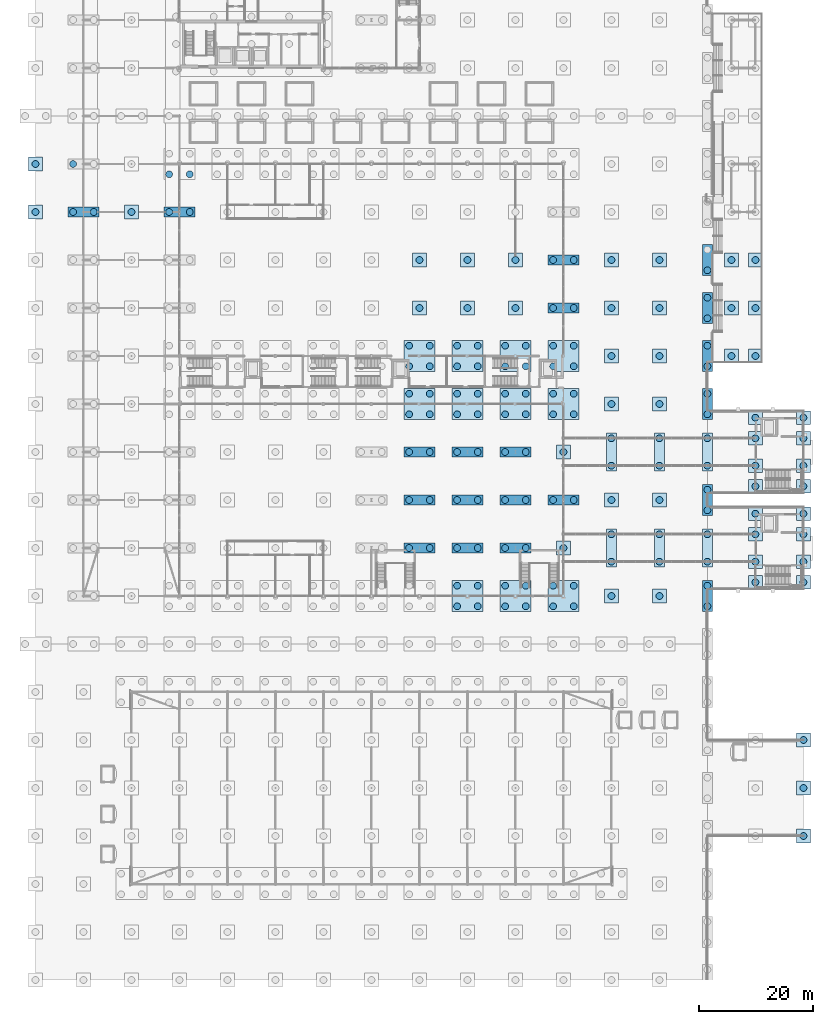
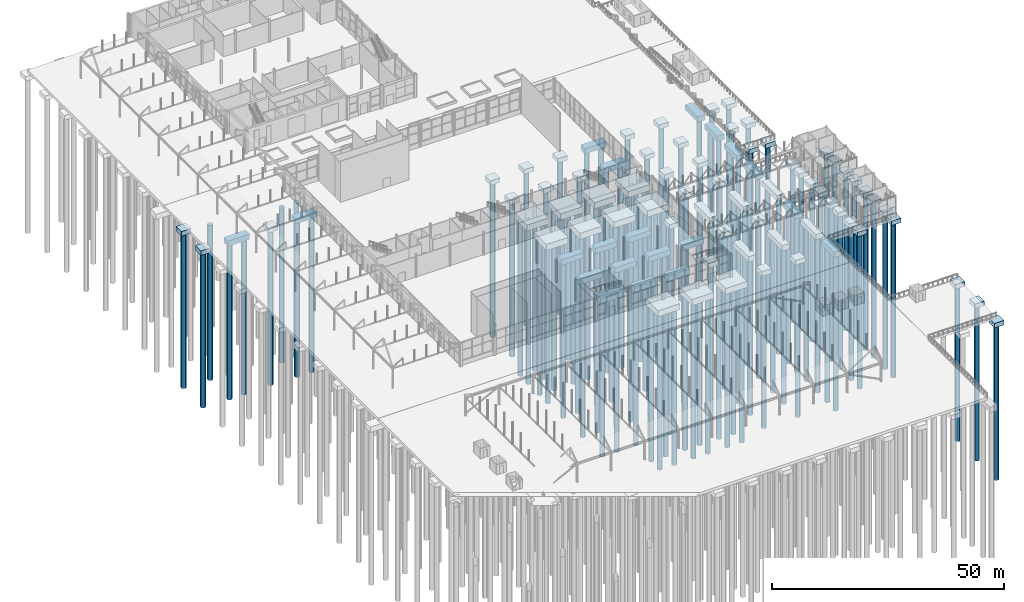
# One storey, part 3 of 212: 146 piles, 85 footings.
"""IFC4 building model written with IfcOpenShell, lengths in metres."""

from ifc_helpers import new_model, si_unit, direction, frame, origin, origin_2d, place, context, subcontext, project, spatial, rectangle, circle, extrude, material, material_profile, profile_set, type_object, element, save


model = new_model("IFC4")

# Units and contexts
model_context = context("Model", 3, precision=1e-05, world=origin(), true_north=direction((0.0, 1.0)))
body_context = subcontext(model_context, "Body", "Model", "MODEL_VIEW")
ifc_project = project(units=[si_unit("LENGTHUNIT", "METRE"), si_unit("AREAUNIT", "SQUARE_METRE"), si_unit("VOLUMEUNIT", "CUBIC_METRE"), si_unit("PLANEANGLEUNIT", "RADIAN"), si_unit("MASSUNIT", "GRAM", prefix="KILO")], contexts=[model_context])

# Site, building, storey
site_placement = place(None, origin())
site = spatial("IfcSite", under=ifc_project, at=site_placement, CompositionType="ELEMENT")
building_placement = place(site_placement, origin())
building = spatial("IfcBuilding", under=site, at=building_placement, Name="Catenary Quay Ferry Terminal", CompositionType="ELEMENT")
storey_placement = place(building_placement, origin())
storey = spatial("IfcBuildingStorey", under=building, at=storey_placement, Name="L00", CompositionType="ELEMENT", Elevation=0.0)

# Piles
ifc_material_1 = material(Name="Concrete C35/45", Category="concrete")
ifc_material_profile = material_profile(ifc_material_1, circle(Radius=0.60009765625, at=origin_2d()), Name="D1200")
ifc_profile_set = profile_set([ifc_material_profile], Name="Concrete C35/45")
pile_type = type_object("IfcPileType", Name="Bored pile D1200", PredefinedType="BORED", material=ifc_profile_set)
for number, where, z_axis, x_axis, name in (
    (1, (73.800048828125, 65.39990234375, -2.300048828125), (0.0, 0.0, -1.0), (1.0, 0.0, 0.0), "Pile PC4-J9/1"),
    (2, (77.39990234375, 65.39990234375, -2.300048828125), (0.0, 0.0, -1.0), (1.0, 0.0, 0.0), "Pile PC4-J9/2"),
    (3, (73.800048828125, 69.0, -2.300048828125), (0.0, 0.0, -1.0), (1.0, 0.0, 0.0), "Pile PC4-J9/3"),
    (4, (77.39990234375, 69.0, -2.300048828125), (0.0, 0.0, -1.0), (1.0, 0.0, 0.0), "Pile PC4-J9/4"),
    (5, (82.199951171875, 65.39990234375, -2.300048828125), (0.0, 0.0, -1.0), (1.0, 0.0, 0.0), "Pile PC4-K9/1"),
    (6, (85.800048828125, 65.39990234375, -2.300048828125), (0.0, 0.0, -1.0), (1.0, 0.0, 0.0), "Pile PC4-K9/2"),
    (7, (82.199951171875, 69.0, -2.300048828125), (0.0, 0.0, -1.0), (1.0, 0.0, 0.0), "Pile PC4-K9/3"),
    (8, (85.800048828125, 69.0, -2.300048828125), (0.0, 0.0, -1.0), (1.0, 0.0, 0.0), "Pile PC4-K9/4"),
    (9, (90.60009765625, 65.39990234375, -2.300048828125), (0.0, 0.0, -1.0), (1.0, 0.0, 0.0), "Pile PC4-L9/1"),
    (10, (94.199951171875, 65.39990234375, -2.300048828125), (0.0, 0.0, -1.0), (1.0, 0.0, 0.0), "Pile PC4-L9/2"),
    (11, (90.60009765625, 69.0, -2.300048828125), (0.0, 0.0, -1.0), (1.0, 0.0, 0.0), "Pile PC4-L9/3"),
    (12, (94.199951171875, 69.0, -2.300048828125), (0.0, 0.0, -1.0), (1.0, 0.0, 0.0), "Pile PC4-L9/4"),
    (13, (100.800048828125, 67.199951171875, -1.89990234375), (0.0, 0.0, -1.0), (1.0, 0.0, 0.0), "Pile PC1-M9/1"),
    (14, (109.199951171875, 67.199951171875, -1.89990234375), (0.0, 0.0, -1.0), (1.0, 0.0, 0.0), "Pile PC1-N9/1"),
    (15, (117.60009765625, 65.39990234375, -2.10009765625), (0.0, 0.0, -1.0), (1.0, 0.0, 0.0), "Pile PC2-O9/1"),
    (16, (117.60009765625, 69.0, -2.10009765625), (0.0, 0.0, -1.0), (1.0, 0.0, 0.0), "Pile PC2-O9/2"),
    (17, (65.39990234375, 75.60009765625, -2.10009765625), (0.0, 0.0, -1.0), (1.0, 0.0, 0.0), "Pile PC2-I10/1"),
    (18, (69.0, 75.60009765625, -2.10009765625), (0.0, 0.0, -1.0), (1.0, 0.0, 0.0), "Pile PC2-I10/2"),
    (19, (73.800048828125, 75.60009765625, -2.10009765625), (0.0, 0.0, -1.0), (1.0, 0.0, 0.0), "Pile PC2-J10/1"),
    (20, (77.39990234375, 75.60009765625, -2.10009765625), (0.0, 0.0, -1.0), (1.0, 0.0, 0.0), "Pile PC2-J10/2"),
    (21, (82.199951171875, 75.60009765625, -2.10009765625), (0.0, 0.0, -1.0), (1.0, 0.0, 0.0), "Pile PC2-K10/1"),
    (22, (85.800048828125, 75.60009765625, -2.10009765625), (0.0, 0.0, -1.0), (1.0, 0.0, 0.0), "Pile PC2-K10/2"),
    (23, (92.39990234375, 75.60009765625, -1.89990234375), (0.0, 0.0, -1.0), (1.0, 0.0, 0.0), "Pile PC1-L10/1"),
    (24, (100.800048828125, 73.199951171875, -2.10009765625), (0.0, 0.0, -1.0), (1.0, 0.0, 0.0), "Pile PC2B-M10/1"),
    (25, (100.800048828125, 78.0, -2.10009765625), (0.0, 0.0, -1.0), (1.0, 0.0, 0.0), "Pile PC2B-M10/2"),
    (26, (109.199951171875, 73.199951171875, -2.10009765625), (0.0, 0.0, -1.0), (1.0, 0.0, 0.0), "Pile PC2B-N10/1"),
    (27, (109.199951171875, 78.0, -2.10009765625), (0.0, 0.0, -1.0), (1.0, 0.0, 0.0), "Pile PC2B-N10/2"),
    (28, (117.60009765625, 73.199951171875, -2.10009765625), (0.0, 0.0, -1.0), (1.0, 0.0, 0.0), "Pile PC2B-O10/1"),
    (29, (117.60009765625, 78.0, -2.10009765625), (0.0, 0.0, -1.0), (1.0, 0.0, 0.0), "Pile PC2B-O10/2"),
    (30, (65.39990234375, 84.0, -2.10009765625), (0.0, 0.0, -1.0), (1.0, 0.0, 0.0), "Pile PC2-I11/1"),
    (31, (69.0, 84.0, -2.10009765625), (0.0, 0.0, -1.0), (1.0, 0.0, 0.0), "Pile PC2-I11/2"),
    (32, (73.800048828125, 84.0, -2.10009765625), (0.0, 0.0, -1.0), (1.0, 0.0, 0.0), "Pile PC2-J11/1"),
    (33, (77.39990234375, 84.0, -2.10009765625), (0.0, 0.0, -1.0), (1.0, 0.0, 0.0), "Pile PC2-J11/2"),
    (34, (82.199951171875, 84.0, -2.10009765625), (0.0, 0.0, -1.0), (1.0, 0.0, 0.0), "Pile PC2-K11/1"),
    (35, (85.800048828125, 84.0, -2.10009765625), (0.0, 0.0, -1.0), (1.0, 0.0, 0.0), "Pile PC2-K11/2"),
    (36, (90.60009765625, 84.0, -2.10009765625), (0.0, 0.0, -1.0), (1.0, 0.0, 0.0), "Pile PC2-L11/1"),
    (37, (94.199951171875, 84.0, -2.10009765625), (0.0, 0.0, -1.0), (1.0, 0.0, 0.0), "Pile PC2-L11/2"),
    (38, (100.800048828125, 84.0, -1.89990234375), (0.0, 0.0, -1.0), (1.0, 0.0, 0.0), "Pile PC1-M11/1"),
    (39, (109.199951171875, 84.0, -1.89990234375), (0.0, 0.0, -1.0), (1.0, 0.0, 0.0), "Pile PC1-N11/1"),
    (40, (117.60009765625, 82.199951171875, -2.10009765625), (0.0, 0.0, -1.0), (1.0, 0.0, 0.0), "Pile PC2-O11/1"),
    (41, (117.60009765625, 85.800048828125, -2.10009765625), (0.0, 0.0, -1.0), (1.0, 0.0, 0.0), "Pile PC2-O11/2"),
    (42, (65.39990234375, 92.39990234375, -2.10009765625), (0.0, 0.0, -1.0), (1.0, 0.0, 0.0), "Pile PC2-I12/1"),
    (43, (69.0, 92.39990234375, -2.10009765625), (0.0, 0.0, -1.0), (1.0, 0.0, 0.0), "Pile PC2-I12/2"),
    (44, (73.800048828125, 92.39990234375, -2.10009765625), (0.0, 0.0, -1.0), (1.0, 0.0, 0.0), "Pile PC2-J12/1"),
    (45, (77.39990234375, 92.39990234375, -2.10009765625), (0.0, 0.0, -1.0), (1.0, 0.0, 0.0), "Pile PC2-J12/2"),
    (46, (82.199951171875, 92.39990234375, -2.10009765625), (0.0, 0.0, -1.0), (1.0, 0.0, 0.0), "Pile PC2-K12/1"),
    (47, (85.800048828125, 92.39990234375, -2.10009765625), (0.0, 0.0, -1.0), (1.0, 0.0, 0.0), "Pile PC2-K12/2"),
    (48, (92.39990234375, 92.39990234375, -1.89990234375), (0.0, 0.0, -1.0), (1.0, 0.0, 0.0), "Pile PC1-L12/1"),
    (49, (100.800048828125, 90.0, -2.10009765625), (0.0, 0.0, -1.0), (1.0, 0.0, 0.0), "Pile PC2B-M12/1"),
    (50, (100.800048828125, 94.800048828125, -2.10009765625), (0.0, 0.0, -1.0), (1.0, 0.0, 0.0), "Pile PC2B-M12/2"),
    (51, (109.199951171875, 90.0, -2.10009765625), (0.0, 0.0, -1.0), (1.0, 0.0, 0.0), "Pile PC2B-N12/1"),
    (52, (109.199951171875, 94.800048828125, -2.10009765625), (0.0, 0.0, -1.0), (1.0, 0.0, 0.0), "Pile PC2B-N12/2"),
    (53, (117.60009765625, 90.0, -2.10009765625), (0.0, 0.0, -1.0), (1.0, 0.0, 0.0), "Pile PC2B-O12/1"),
    (54, (117.60009765625, 94.800048828125, -2.10009765625), (0.0, 0.0, -1.0), (1.0, 0.0, 0.0), "Pile PC2B-O12/2"),
    (55, (65.39990234375, 99.0, -2.300048828125), (0.0, 0.0, -1.0), (1.0, 0.0, 0.0), "Pile PC4-I13/1"),
    (56, (69.0, 99.0, -2.300048828125), (0.0, 0.0, -1.0), (1.0, 0.0, 0.0), "Pile PC4-I13/2"),
    (57, (65.39990234375, 102.60009765625, -2.300048828125), (0.0, 0.0, -1.0), (1.0, 0.0, 0.0), "Pile PC4-I13/3"),
    (58, (69.0, 102.60009765625, -2.300048828125), (0.0, 0.0, -1.0), (1.0, 0.0, 0.0), "Pile PC4-I13/4"),
    (59, (73.800048828125, 99.0, -2.300048828125), (0.0, 0.0, -1.0), (1.0, 0.0, 0.0), "Pile PC4-J13/1"),
    (60, (77.39990234375, 99.0, -2.300048828125), (0.0, 0.0, -1.0), (1.0, 0.0, 0.0), "Pile PC4-J13/2"),
    (61, (73.800048828125, 102.60009765625, -2.300048828125), (0.0, 0.0, -1.0), (1.0, 0.0, 0.0), "Pile PC4-J13/3"),
    (62, (77.39990234375, 102.60009765625, -2.300048828125), (0.0, 0.0, -1.0), (1.0, 0.0, 0.0), "Pile PC4-J13/4"),
    (63, (82.199951171875, 99.0, -2.300048828125), (0.0, 0.0, -1.0), (1.0, 0.0, 0.0), "Pile PC4-K13/1"),
    (64, (85.800048828125, 99.0, -2.300048828125), (0.0, 0.0, -1.0), (1.0, 0.0, 0.0), "Pile PC4-K13/2"),
    (65, (82.199951171875, 102.60009765625, -2.300048828125), (0.0, 0.0, -1.0), (1.0, 0.0, 0.0), "Pile PC4-K13/3"),
    (66, (85.800048828125, 102.60009765625, -2.300048828125), (0.0, 0.0, -1.0), (1.0, 0.0, 0.0), "Pile PC4-K13/4"),
    (67, (90.60009765625, 99.0, -2.300048828125), (0.0, 0.0, -1.0), (1.0, 0.0, 0.0), "Pile PC4-L13/1"),
    (68, (94.199951171875, 99.0, -2.300048828125), (0.0, 0.0, -1.0), (1.0, 0.0, 0.0), "Pile PC4-L13/2"),
    (69, (90.60009765625, 102.60009765625, -2.300048828125), (0.0, 0.0, -1.0), (1.0, 0.0, 0.0), "Pile PC4-L13/3"),
    (70, (94.199951171875, 102.60009765625, -2.300048828125), (0.0, 0.0, -1.0), (1.0, 0.0, 0.0), "Pile PC4-L13/4"),
    (71, (100.800048828125, 100.800048828125, -1.89990234375), (0.0, 0.0, -1.0), (1.0, 0.0, 0.0), "Pile PC1-M13/1"),
    (72, (109.199951171875, 100.800048828125, -1.89990234375), (0.0, 0.0, -1.0), (1.0, 0.0, 0.0), "Pile PC1-N13/1"),
    (73, (117.60009765625, 99.0, -2.10009765625), (0.0, 0.0, -1.0), (1.0, 0.0, 0.0), "Pile PC2-O13/1"),
    (74, (117.60009765625, 102.60009765625, -2.10009765625), (0.0, 0.0, -1.0), (1.0, 0.0, 0.0), "Pile PC2-O13/2"),
    (75, (65.39990234375, 107.39990234375, -2.300048828125), (0.0, 0.0, -1.0), (1.0, 0.0, 0.0), "Pile PC4-I14/1"),
    (76, (69.0, 107.39990234375, -2.300048828125), (0.0, 0.0, -1.0), (1.0, 0.0, 0.0), "Pile PC4-I14/2"),
    (77, (65.39990234375, 111.0, -2.300048828125), (0.0, 0.0, -1.0), (1.0, 0.0, 0.0), "Pile PC4-I14/3"),
    (78, (69.0, 111.0, -2.300048828125), (0.0, 0.0, -1.0), (1.0, 0.0, 0.0), "Pile PC4-I14/4"),
    (79, (73.800048828125, 107.39990234375, -2.300048828125), (0.0, 0.0, -1.0), (1.0, 0.0, 0.0), "Pile PC4-J14/1"),
    (80, (77.39990234375, 107.39990234375, -2.300048828125), (0.0, 0.0, -1.0), (1.0, 0.0, 0.0), "Pile PC4-J14/2"),
    (81, (73.800048828125, 111.0, -2.300048828125), (0.0, 0.0, -1.0), (1.0, 0.0, 0.0), "Pile PC4-J14/3"),
    (82, (77.39990234375, 111.0, -2.300048828125), (0.0, 0.0, -1.0), (1.0, 0.0, 0.0), "Pile PC4-J14/4"),
    (83, (82.199951171875, 107.39990234375, -2.300048828125), (0.0, 0.0, -1.0), (1.0, 0.0, 0.0), "Pile PC4-K14/1"),
    (84, (85.800048828125, 107.39990234375, -2.300048828125), (0.0, 0.0, -1.0), (1.0, 0.0, 0.0), "Pile PC4-K14/2"),
    (85, (82.199951171875, 111.0, -2.300048828125), (0.0, 0.0, -1.0), (1.0, 0.0, 0.0), "Pile PC4-K14/3"),
    (86, (85.800048828125, 111.0, -2.300048828125), (0.0, 0.0, -1.0), (1.0, 0.0, 0.0), "Pile PC4-K14/4"),
    (87, (90.60009765625, 107.39990234375, -2.300048828125), (0.0, 0.0, -1.0), (1.0, 0.0, 0.0), "Pile PC4-L14/1"),
    (88, (94.199951171875, 107.39990234375, -2.300048828125), (0.0, 0.0, -1.0), (1.0, 0.0, 0.0), "Pile PC4-L14/2"),
    (89, (90.60009765625, 111.0, -2.300048828125), (0.0, 0.0, -1.0), (1.0, 0.0, 0.0), "Pile PC4-L14/3"),
    (90, (94.199951171875, 111.0, -2.300048828125), (0.0, 0.0, -1.0), (1.0, 0.0, 0.0), "Pile PC4-L14/4"),
    (91, (100.800048828125, 109.199951171875, -1.89990234375), (0.0, 0.0, -1.0), (1.0, 0.0, 0.0), "Pile PC1-M14/1"),
    (92, (109.199951171875, 109.199951171875, -1.89990234375), (0.0, 0.0, -1.0), (1.0, 0.0, 0.0), "Pile PC1-N14/1"),
    (93, (117.60009765625, 107.39990234375, -2.10009765625), (0.0, 0.0, -1.0), (1.0, 0.0, 0.0), "Pile PC2-O14/1"),
    (94, (117.60009765625, 111.0, -2.10009765625), (0.0, 0.0, -1.0), (1.0, 0.0, 0.0), "Pile PC2-O14/2"),
    (95, (67.199951171875, 117.60009765625, -1.89990234375), (0.0, 0.0, -1.0), (1.0, 0.0, 0.0), "Pile PC1-I15/1"),
    (96, (75.60009765625, 117.60009765625, -1.89990234375), (0.0, 0.0, -1.0), (1.0, 0.0, 0.0), "Pile PC1-J15/1"),
    (97, (84.0, 117.60009765625, -1.89990234375), (0.0, 0.0, -1.0), (1.0, 0.0, 0.0), "Pile PC1-K15/1"),
    (98, (90.60009765625, 117.60009765625, -2.10009765625), (0.0, 0.0, -1.0), (1.0, 0.0, 0.0), "Pile PC2-L15/1"),
    (99, (94.199951171875, 117.60009765625, -2.10009765625), (0.0, 0.0, -1.0), (1.0, 0.0, 0.0), "Pile PC2-L15/2"),
    (100, (100.800048828125, 117.60009765625, -1.89990234375), (0.0, 0.0, -1.0), (1.0, 0.0, 0.0), "Pile PC1-M15/1"),
    (101, (109.199951171875, 117.60009765625, -1.89990234375), (0.0, 0.0, -1.0), (1.0, 0.0, 0.0), "Pile PC1-N15/1"),
    (102, (117.60009765625, 115.800048828125, -2.10009765625), (0.0, 0.0, -1.0), (1.0, 0.0, 0.0), "Pile PC2-O15/1"),
    (103, (117.60009765625, 119.39990234375, -2.10009765625), (0.0, 0.0, -1.0), (1.0, 0.0, 0.0), "Pile PC2-O15/2"),
    (104, (67.199951171875, 126.0, -1.89990234375), (0.0, 0.0, -1.0), (1.0, 0.0, 0.0), "Pile PC1-I16/1"),
    (105, (75.60009765625, 126.0, -1.89990234375), (0.0, 0.0, -1.0), (1.0, 0.0, 0.0), "Pile PC1-J16/1"),
    (106, (84.0, 126.0, -1.89990234375), (0.0, 0.0, -1.0), (1.0, 0.0, 0.0), "Pile PC1-K16/1"),
    (107, (90.60009765625, 126.0, -2.10009765625), (0.0, 0.0, -1.0), (1.0, 0.0, 0.0), "Pile PC2-L16/1"),
    (108, (94.199951171875, 126.0, -2.10009765625), (0.0, 0.0, -1.0), (1.0, 0.0, 0.0), "Pile PC2-L16/2"),
    (109, (100.800048828125, 126.0, -1.89990234375), (0.0, 0.0, -1.0), (1.0, 0.0, 0.0), "Pile PC1-M16/1"),
    (110, (109.199951171875, 126.0, -1.89990234375), (0.0, 0.0, -1.0), (1.0, 0.0, 0.0), "Pile PC1-N16/1"),
    (111, (117.60009765625, 124.199951171875, -2.10009765625), (0.0, 0.0, -1.0), (1.0, 0.0, 0.0), "Pile PC2-O16/1"),
    (112, (0.0, 134.39990234375, -1.89990234375), (0.0, 0.0, -1.0), (1.0, 0.0, 0.0), "Pile PC1-A17/1"),
    (113, (6.60009765625, 134.39990234375, -2.10009765625), (0.0, 0.0, -1.0), (1.0, 0.0, 0.0), "Pile PC2-B17/1"),
    (114, (10.199951171875, 134.39990234375, -2.10009765625), (0.0, 0.0, -1.0), (1.0, 0.0, 0.0), "Pile PC2-B17/2"),
    (115, (16.800048828125, 134.39990234375, -1.89990234375), (0.0, 0.0, -1.0), (1.0, 0.0, 0.0), "Pile PC1-C17/1"),
    (116, (23.39990234375, 134.39990234375, -2.10009765625), (0.0, 0.0, -1.0), (1.0, 0.0, 0.0), "Pile PC2-D17/1"),
    (117, (27.0, 134.39990234375, -2.10009765625), (0.0, 0.0, -1.0), (1.0, 0.0, 0.0), "Pile PC2-D17/2"),
    (118, (0.0, 142.800048828125, -1.89990234375), (0.0, 0.0, -1.0), (1.0, 0.0, 0.0), "Pile PC1-A18/1"),
    (119, (6.60009765625, 142.800048828125, -2.10009765625), (0.0, 0.0, -1.0), (1.0, 0.0, 0.0), "Pile PC2-B18/1"),
    (120, (23.39990234375, 141.0, -2.300048828125), (0.0, 0.0, -1.0), (1.0, 0.0, 0.0), "Pile PC4-D18/1"),
    (121, (27.0, 141.0, -2.300048828125), (0.0, 0.0, -1.0), (1.0, 0.0, 0.0), "Pile PC4-D18/2"),
    (122, (126.0, 69.60009765625, -1.800048828125), (0.0, 0.0, -1.0), (1.0, 0.0, 0.0), "Pile PC1-BH1P1/1"),
    (123, (126.0, 73.199951171875, -1.800048828125), (0.0, 0.0, -1.0), (1.0, 0.0, 0.0), "Pile PC1-BH1P2/1"),
    (124, (126.0, 78.0, -1.800048828125), (0.0, 0.0, -1.0), (1.0, 0.0, 0.0), "Pile PC1-BH1P3/1"),
    (125, (126.0, 81.60009765625, -1.800048828125), (0.0, 0.0, -1.0), (1.0, 0.0, 0.0), "Pile PC1-BH1P4/1"),
    (126, (134.39990234375, 69.60009765625, -1.800048828125), (0.0, 0.0, -1.0), (1.0, 0.0, 0.0), "Pile PC1-BH1Q1/1"),
    (127, (134.39990234375, 73.199951171875, -1.800048828125), (0.0, 0.0, -1.0), (1.0, 0.0, 0.0), "Pile PC1-BH1Q2/1"),
    (128, (134.39990234375, 78.0, -1.800048828125), (0.0, 0.0, -1.0), (1.0, 0.0, 0.0), "Pile PC1-BH1Q3/1"),
    (129, (134.39990234375, 81.60009765625, -1.800048828125), (0.0, 0.0, -1.0), (1.0, 0.0, 0.0), "Pile PC1-BH1Q4/1"),
    (130, (126.0, 86.39990234375, -1.800048828125), (0.0, 0.0, -1.0), (1.0, 0.0, 0.0), "Pile PC1-BH2P1/1"),
    (131, (126.0, 90.0, -1.800048828125), (0.0, 0.0, -1.0), (1.0, 0.0, 0.0), "Pile PC1-BH2P2/1"),
    (132, (126.0, 94.800048828125, -1.800048828125), (0.0, 0.0, -1.0), (1.0, 0.0, 0.0), "Pile PC1-BH2P3/1"),
    (133, (126.0, 98.39990234375, -1.800048828125), (0.0, 0.0, -1.0), (1.0, 0.0, 0.0), "Pile PC1-BH2P4/1"),
    (134, (134.39990234375, 86.39990234375, -1.800048828125), (0.0, 0.0, -1.0), (1.0, 0.0, 0.0), "Pile PC1-BH2Q1/1"),
    (135, (134.39990234375, 90.0, -1.800048828125), (0.0, 0.0, -1.0), (1.0, 0.0, 0.0), "Pile PC1-BH2Q2/1"),
    (136, (134.39990234375, 94.800048828125, -1.800048828125), (0.0, 0.0, -1.0), (1.0, 0.0, 0.0), "Pile PC1-BH2Q3/1"),
    (137, (134.39990234375, 98.39990234375, -1.800048828125), (0.0, 0.0, -1.0), (1.0, 0.0, 0.0), "Pile PC1-BH2Q4/1"),
    (138, (134.39990234375, 25.199951171875, -1.800048828125), (0.0, 0.0, -1.0), (1.0, 0.0, 0.0), "Pile PC1-BVQ4/1"),
    (139, (134.39990234375, 33.60009765625, -1.800048828125), (0.0, 0.0, -1.0), (1.0, 0.0, 0.0), "Pile PC1-BVQ5/1"),
    (140, (134.39990234375, 42.0, -1.800048828125), (0.0, 0.0, -1.0), (1.0, 0.0, 0.0), "Pile PC1-BVQ6/1"),
):
    element("IfcPile", number, at=place(storey_placement, frame(where, z_axis=z_axis, x_axis=x_axis)), inside=storey, type_object=pile_type, Name=name, PredefinedType="BORED", context=body_context, shape_type="SweptSolid", body=[
        extrude(circle(Radius=0.60009765625, at=origin_2d()), origin(), (0.0, 0.0, 1.0), 40.800048828125),
    ])
for number, where, z_axis, x_axis, name in (
    (141, (121.800048828125, 109.199951171875, -2.60009765625), (0.0, 0.0, -1.0), (1.0, 0.0, 0.0), "Pile PC1-RS14/1"),
    (142, (121.800048828125, 117.60009765625, -2.60009765625), (0.0, 0.0, -1.0), (1.0, 0.0, 0.0), "Pile PC1-RS15/1"),
    (143, (121.800048828125, 126.0, -2.60009765625), (0.0, 0.0, -1.0), (1.0, 0.0, 0.0), "Pile PC1-RS16/1"),
    (144, (126.0, 109.199951171875, -2.60009765625), (0.0, 0.0, -1.0), (1.0, 0.0, 0.0), "Pile PC1-RT14/1"),
    (145, (126.0, 117.60009765625, -2.60009765625), (0.0, 0.0, -1.0), (1.0, 0.0, 0.0), "Pile PC1-RT15/1"),
    (146, (126.0, 126.0, -2.60009765625), (0.0, 0.0, -1.0), (1.0, 0.0, 0.0), "Pile PC1-RT16/1"),
):
    element("IfcPile", number, at=place(storey_placement, frame(where, z_axis=z_axis, x_axis=x_axis)), inside=storey, type_object=pile_type, Name=name, PredefinedType="BORED", context=body_context, shape_type="SweptSolid", body=[
        extrude(circle(Radius=0.60009765625, at=origin_2d()), origin(), (0.0, 0.0, 1.0), 40.10009765625),
    ])

# Footings
ifc_material_2 = material(Name="Concrete C35/45", Category="concrete")
footing_type_1 = type_object("IfcFootingType", Name="Pile cap PC1", PredefinedType="PILE_CAP", material=ifc_material_2)
for number, where, z_axis, x_axis, name in (
    (147, (100.800048828125, 67.199951171875, -1.89990234375), (0.0, 0.0, 1.0), (1.0, 0.0, 0.0), "Pile cap PC1-M9"),
    (148, (109.199951171875, 67.199951171875, -1.89990234375), (0.0, 0.0, 1.0), (1.0, 0.0, 0.0), "Pile cap PC1-N9"),
    (149, (92.39990234375, 75.60009765625, -1.89990234375), (0.0, 0.0, 1.0), (1.0, 0.0, 0.0), "Pile cap PC1-L10"),
    (150, (100.800048828125, 84.0, -1.89990234375), (0.0, 0.0, 1.0), (1.0, 0.0, 0.0), "Pile cap PC1-M11"),
    (151, (109.199951171875, 84.0, -1.89990234375), (0.0, 0.0, 1.0), (1.0, 0.0, 0.0), "Pile cap PC1-N11"),
    (152, (92.39990234375, 92.39990234375, -1.89990234375), (0.0, 0.0, 1.0), (1.0, 0.0, 0.0), "Pile cap PC1-L12"),
    (153, (100.800048828125, 100.800048828125, -1.89990234375), (0.0, 0.0, 1.0), (1.0, 0.0, 0.0), "Pile cap PC1-M13"),
    (154, (109.199951171875, 100.800048828125, -1.89990234375), (0.0, 0.0, 1.0), (1.0, 0.0, 0.0), "Pile cap PC1-N13"),
    (155, (100.800048828125, 109.199951171875, -1.89990234375), (0.0, 0.0, 1.0), (1.0, 0.0, 0.0), "Pile cap PC1-M14"),
    (156, (109.199951171875, 109.199951171875, -1.89990234375), (0.0, 0.0, 1.0), (1.0, 0.0, 0.0), "Pile cap PC1-N14"),
    (157, (67.199951171875, 117.60009765625, -1.89990234375), (0.0, 0.0, 1.0), (1.0, 0.0, 0.0), "Pile cap PC1-I15"),
    (158, (75.60009765625, 117.60009765625, -1.89990234375), (0.0, 0.0, 1.0), (1.0, 0.0, 0.0), "Pile cap PC1-J15"),
    (159, (84.0, 117.60009765625, -1.89990234375), (0.0, 0.0, 1.0), (1.0, 0.0, 0.0), "Pile cap PC1-K15"),
    (160, (100.800048828125, 117.60009765625, -1.89990234375), (0.0, 0.0, 1.0), (1.0, 0.0, 0.0), "Pile cap PC1-M15"),
    (161, (109.199951171875, 117.60009765625, -1.89990234375), (0.0, 0.0, 1.0), (1.0, 0.0, 0.0), "Pile cap PC1-N15"),
    (162, (67.199951171875, 126.0, -1.89990234375), (0.0, 0.0, 1.0), (1.0, 0.0, 0.0), "Pile cap PC1-I16"),
    (163, (75.60009765625, 126.0, -1.89990234375), (0.0, 0.0, 1.0), (1.0, 0.0, 0.0), "Pile cap PC1-J16"),
    (164, (84.0, 126.0, -1.89990234375), (0.0, 0.0, 1.0), (1.0, 0.0, 0.0), "Pile cap PC1-K16"),
    (165, (100.800048828125, 126.0, -1.89990234375), (0.0, 0.0, 1.0), (1.0, 0.0, 0.0), "Pile cap PC1-M16"),
    (166, (109.199951171875, 126.0, -1.89990234375), (0.0, 0.0, 1.0), (1.0, 0.0, 0.0), "Pile cap PC1-N16"),
    (167, (0.0, 134.39990234375, -1.89990234375), (0.0, 0.0, 1.0), (1.0, 0.0, 0.0), "Pile cap PC1-A17"),
    (168, (16.800048828125, 134.39990234375, -1.89990234375), (0.0, 0.0, 1.0), (1.0, 0.0, 0.0), "Pile cap PC1-C17"),
    (169, (0.0, 142.800048828125, -1.89990234375), (0.0, 0.0, 1.0), (1.0, 0.0, 0.0), "Pile cap PC1-A18"),
    (170, (126.0, 69.60009765625, -1.7998046875), (0.0, 0.0, 1.0), (1.0, 0.0, 0.0), "Pile cap PC1-BH1P1"),
    (171, (126.0, 73.199951171875, -1.7998046875), (0.0, 0.0, 1.0), (1.0, 0.0, 0.0), "Pile cap PC1-BH1P2"),
    (172, (126.0, 78.0, -1.7998046875), (0.0, 0.0, 1.0), (1.0, 0.0, 0.0), "Pile cap PC1-BH1P3"),
    (173, (126.0, 81.60009765625, -1.7998046875), (0.0, 0.0, 1.0), (1.0, 0.0, 0.0), "Pile cap PC1-BH1P4"),
    (174, (134.39990234375, 69.60009765625, -1.7998046875), (0.0, 0.0, 1.0), (1.0, 0.0, 0.0), "Pile cap PC1-BH1Q1"),
    (175, (134.39990234375, 73.199951171875, -1.7998046875), (0.0, 0.0, 1.0), (1.0, 0.0, 0.0), "Pile cap PC1-BH1Q2"),
    (176, (134.39990234375, 78.0, -1.7998046875), (0.0, 0.0, 1.0), (1.0, 0.0, 0.0), "Pile cap PC1-BH1Q3"),
    (177, (134.39990234375, 81.60009765625, -1.7998046875), (0.0, 0.0, 1.0), (1.0, 0.0, 0.0), "Pile cap PC1-BH1Q4"),
    (178, (126.0, 86.39990234375, -1.7998046875), (0.0, 0.0, 1.0), (1.0, 0.0, 0.0), "Pile cap PC1-BH2P1"),
    (179, (126.0, 90.0, -1.7998046875), (0.0, 0.0, 1.0), (1.0, 0.0, 0.0), "Pile cap PC1-BH2P2"),
    (180, (126.0, 94.800048828125, -1.7998046875), (0.0, 0.0, 1.0), (1.0, 0.0, 0.0), "Pile cap PC1-BH2P3"),
    (181, (126.0, 98.39990234375, -1.7998046875), (0.0, 0.0, 1.0), (1.0, 0.0, 0.0), "Pile cap PC1-BH2P4"),
    (182, (134.39990234375, 86.39990234375, -1.7998046875), (0.0, 0.0, 1.0), (1.0, 0.0, 0.0), "Pile cap PC1-BH2Q1"),
    (183, (134.39990234375, 90.0, -1.7998046875), (0.0, 0.0, 1.0), (1.0, 0.0, 0.0), "Pile cap PC1-BH2Q2"),
    (184, (134.39990234375, 94.800048828125, -1.7998046875), (0.0, 0.0, 1.0), (1.0, 0.0, 0.0), "Pile cap PC1-BH2Q3"),
    (185, (134.39990234375, 98.39990234375, -1.7998046875), (0.0, 0.0, 1.0), (1.0, 0.0, 0.0), "Pile cap PC1-BH2Q4"),
    (186, (134.39990234375, 25.199951171875, -1.7998046875), (0.0, 0.0, 1.0), (1.0, 0.0, 0.0), "Pile cap PC1-BVQ4"),
    (187, (134.39990234375, 33.60009765625, -1.7998046875), (0.0, 0.0, 1.0), (1.0, 0.0, 0.0), "Pile cap PC1-BVQ5"),
    (188, (134.39990234375, 42.0, -1.7998046875), (0.0, 0.0, 1.0), (1.0, 0.0, 0.0), "Pile cap PC1-BVQ6"),
    (189, (121.800048828125, 109.199951171875, -2.60009765625), (0.0, 0.0, 1.0), (1.0, 0.0, 0.0), "Pile cap PC1-RS14"),
    (190, (121.800048828125, 117.60009765625, -2.60009765625), (0.0, 0.0, 1.0), (1.0, 0.0, 0.0), "Pile cap PC1-RS15"),
    (191, (121.800048828125, 126.0, -2.60009765625), (0.0, 0.0, 1.0), (1.0, 0.0, 0.0), "Pile cap PC1-RS16"),
    (192, (126.0, 109.199951171875, -2.60009765625), (0.0, 0.0, 1.0), (1.0, 0.0, 0.0), "Pile cap PC1-RT14"),
    (193, (126.0, 117.60009765625, -2.60009765625), (0.0, 0.0, 1.0), (1.0, 0.0, 0.0), "Pile cap PC1-RT15"),
    (194, (126.0, 126.0, -2.60009765625), (0.0, 0.0, 1.0), (1.0, 0.0, 0.0), "Pile cap PC1-RT16"),
):
    element("IfcFooting", number, at=place(storey_placement, frame(where, z_axis=z_axis, x_axis=x_axis)), inside=storey, type_object=footing_type_1, Name=name, PredefinedType="PILE_CAP", context=body_context, shape_type="SweptSolid", body=[
        extrude(rectangle(XDim=2.39990234375, YDim=2.39990234375, at=origin_2d()), origin(), (0.0, 0.0, 1.0), 1.199951171875),
    ])
ifc_material_3 = material(Name="Concrete C35/45", Category="concrete")
footing_type_2 = type_object("IfcFootingType", Name="Pile cap PC2", PredefinedType="PILE_CAP", material=ifc_material_3)
footing_1_placement = place(storey_placement, frame((117.60009765625, 67.199951171875, -2.099853515625), z_axis=(0.0, 0.0, 1.0), x_axis=(1.0, 0.0, 0.0)))
element("IfcFooting", 195, at=footing_1_placement, inside=storey, type_object=footing_type_2, Name="Pile cap PC2-O9", PredefinedType="PILE_CAP", context=body_context, shape_type="SweptSolid", body=[
    extrude(rectangle(XDim=1.800048828125, YDim=5.39990234375, at=origin_2d()), origin(), (0.0, 0.0, 1.0), 1.39990234375),
])
for number, where, z_axis, x_axis, name in (
    (196, (67.199951171875, 75.60009765625, -2.099853515625), (0.0, 0.0, 1.0), (1.0, 0.0, 0.0), "Pile cap PC2-I10"),
    (197, (75.60009765625, 75.60009765625, -2.099853515625), (0.0, 0.0, 1.0), (1.0, 0.0, 0.0), "Pile cap PC2-J10"),
    (198, (84.0, 75.60009765625, -2.099853515625), (0.0, 0.0, 1.0), (1.0, 0.0, 0.0), "Pile cap PC2-K10"),
    (199, (67.199951171875, 84.0, -2.099853515625), (0.0, 0.0, 1.0), (1.0, 0.0, 0.0), "Pile cap PC2-I11"),
    (200, (75.60009765625, 84.0, -2.099853515625), (0.0, 0.0, 1.0), (1.0, 0.0, 0.0), "Pile cap PC2-J11"),
    (201, (84.0, 84.0, -2.099853515625), (0.0, 0.0, 1.0), (1.0, 0.0, 0.0), "Pile cap PC2-K11"),
    (202, (92.39990234375, 84.0, -2.099853515625), (0.0, 0.0, 1.0), (1.0, 0.0, 0.0), "Pile cap PC2-L11"),
):
    element("IfcFooting", number, at=place(storey_placement, frame(where, z_axis=z_axis, x_axis=x_axis)), inside=storey, type_object=footing_type_2, Name=name, PredefinedType="PILE_CAP", context=body_context, shape_type="SweptSolid", body=[
        extrude(rectangle(XDim=5.39990234375, YDim=1.800048828125, at=origin_2d()), origin(), (0.0, 0.0, 1.0), 1.39990234375),
    ])
footing_2_placement = place(storey_placement, frame((117.60009765625, 84.0, -2.099853515625), z_axis=(0.0, 0.0, 1.0), x_axis=(1.0, 0.0, 0.0)))
element("IfcFooting", 203, at=footing_2_placement, inside=storey, type_object=footing_type_2, Name="Pile cap PC2-O11", PredefinedType="PILE_CAP", context=body_context, shape_type="SweptSolid", body=[
    extrude(rectangle(XDim=1.800048828125, YDim=5.39990234375, at=origin_2d()), origin(), (0.0, 0.0, 1.0), 1.39990234375),
])
for number, where, z_axis, x_axis, name in (
    (204, (67.199951171875, 92.39990234375, -2.099853515625), (0.0, 0.0, 1.0), (1.0, 0.0, 0.0), "Pile cap PC2-I12"),
    (205, (75.60009765625, 92.39990234375, -2.099853515625), (0.0, 0.0, 1.0), (1.0, 0.0, 0.0), "Pile cap PC2-J12"),
    (206, (84.0, 92.39990234375, -2.099853515625), (0.0, 0.0, 1.0), (1.0, 0.0, 0.0), "Pile cap PC2-K12"),
):
    element("IfcFooting", number, at=place(storey_placement, frame(where, z_axis=z_axis, x_axis=x_axis)), inside=storey, type_object=footing_type_2, Name=name, PredefinedType="PILE_CAP", context=body_context, shape_type="SweptSolid", body=[
        extrude(rectangle(XDim=5.39990234375, YDim=1.800048828125, at=origin_2d()), origin(), (0.0, 0.0, 1.0), 1.39990234375),
    ])
for number, where, z_axis, x_axis, name in (
    (207, (117.60009765625, 100.800048828125, -2.099853515625), (0.0, 0.0, 1.0), (1.0, 0.0, 0.0), "Pile cap PC2-O13"),
    (208, (117.60009765625, 109.199951171875, -2.099853515625), (0.0, 0.0, 1.0), (1.0, 0.0, 0.0), "Pile cap PC2-O14"),
):
    element("IfcFooting", number, at=place(storey_placement, frame(where, z_axis=z_axis, x_axis=x_axis)), inside=storey, type_object=footing_type_2, Name=name, PredefinedType="PILE_CAP", context=body_context, shape_type="SweptSolid", body=[
        extrude(rectangle(XDim=1.800048828125, YDim=5.39990234375, at=origin_2d()), origin(), (0.0, 0.0, 1.0), 1.39990234375),
    ])
footing_3_placement = place(storey_placement, frame((92.39990234375, 117.60009765625, -2.099853515625), z_axis=(0.0, 0.0, 1.0), x_axis=(1.0, 0.0, 0.0)))
element("IfcFooting", 209, at=footing_3_placement, inside=storey, type_object=footing_type_2, Name="Pile cap PC2-L15", PredefinedType="PILE_CAP", context=body_context, shape_type="SweptSolid", body=[
    extrude(rectangle(XDim=5.39990234375, YDim=1.800048828125, at=origin_2d()), origin(), (0.0, 0.0, 1.0), 1.39990234375),
])
footing_4_placement = place(storey_placement, frame((117.60009765625, 117.60009765625, -2.099853515625), z_axis=(0.0, 0.0, 1.0), x_axis=(1.0, 0.0, 0.0)))
element("IfcFooting", 210, at=footing_4_placement, inside=storey, type_object=footing_type_2, Name="Pile cap PC2-O15", PredefinedType="PILE_CAP", context=body_context, shape_type="SweptSolid", body=[
    extrude(rectangle(XDim=1.800048828125, YDim=5.39990234375, at=origin_2d()), origin(), (0.0, 0.0, 1.0), 1.39990234375),
])
footing_5_placement = place(storey_placement, frame((92.39990234375, 126.0, -2.099853515625), z_axis=(0.0, 0.0, 1.0), x_axis=(1.0, 0.0, 0.0)))
element("IfcFooting", 211, at=footing_5_placement, inside=storey, type_object=footing_type_2, Name="Pile cap PC2-L16", PredefinedType="PILE_CAP", context=body_context, shape_type="SweptSolid", body=[
    extrude(rectangle(XDim=5.39990234375, YDim=1.800048828125, at=origin_2d()), origin(), (0.0, 0.0, 1.0), 1.39990234375),
])
footing_6_placement = place(storey_placement, frame((117.60009765625, 126.0, -2.099853515625), z_axis=(0.0, 0.0, 1.0), x_axis=(1.0, 0.0, 0.0)))
element("IfcFooting", 212, at=footing_6_placement, inside=storey, type_object=footing_type_2, Name="Pile cap PC2-O16", PredefinedType="PILE_CAP", context=body_context, shape_type="SweptSolid", body=[
    extrude(rectangle(XDim=1.800048828125, YDim=5.39990234375, at=origin_2d()), origin(), (0.0, 0.0, 1.0), 1.39990234375),
])
for number, where, z_axis, x_axis, name in (
    (213, (8.39990234375, 134.39990234375, -2.099853515625), (0.0, 0.0, 1.0), (1.0, 0.0, 0.0), "Pile cap PC2-B17"),
    (214, (25.199951171875, 134.39990234375, -2.099853515625), (0.0, 0.0, 1.0), (1.0, 0.0, 0.0), "Pile cap PC2-D17"),
):
    element("IfcFooting", number, at=place(storey_placement, frame(where, z_axis=z_axis, x_axis=x_axis)), inside=storey, type_object=footing_type_2, Name=name, PredefinedType="PILE_CAP", context=body_context, shape_type="SweptSolid", body=[
        extrude(rectangle(XDim=5.39990234375, YDim=1.800048828125, at=origin_2d()), origin(), (0.0, 0.0, 1.0), 1.39990234375),
    ])
ifc_material_4 = material(Name="Concrete C35/45", Category="concrete")
footing_type_3 = type_object("IfcFootingType", Name="Pile cap PC2B", PredefinedType="PILE_CAP", material=ifc_material_4)
for number, where, z_axis, x_axis, name in (
    (215, (100.800048828125, 75.60009765625, -2.099853515625), (0.0, 0.0, 1.0), (1.0, 0.0, 0.0), "Pile cap PC2B-M10"),
    (216, (109.199951171875, 75.60009765625, -2.099853515625), (0.0, 0.0, 1.0), (1.0, 0.0, 0.0), "Pile cap PC2B-N10"),
    (217, (117.60009765625, 75.60009765625, -2.099853515625), (0.0, 0.0, 1.0), (1.0, 0.0, 0.0), "Pile cap PC2B-O10"),
    (218, (100.800048828125, 92.39990234375, -2.099853515625), (0.0, 0.0, 1.0), (1.0, 0.0, 0.0), "Pile cap PC2B-M12"),
    (219, (109.199951171875, 92.39990234375, -2.099853515625), (0.0, 0.0, 1.0), (1.0, 0.0, 0.0), "Pile cap PC2B-N12"),
    (220, (117.60009765625, 92.39990234375, -2.099853515625), (0.0, 0.0, 1.0), (1.0, 0.0, 0.0), "Pile cap PC2B-O12"),
):
    element("IfcFooting", number, at=place(storey_placement, frame(where, z_axis=z_axis, x_axis=x_axis)), inside=storey, type_object=footing_type_3, Name=name, PredefinedType="PILE_CAP", context=body_context, shape_type="SweptSolid", body=[
        extrude(rectangle(XDim=1.800048828125, YDim=6.60009765625, at=origin_2d()), origin(), (0.0, 0.0, 1.0), 1.39990234375),
    ])
ifc_material_5 = material(Name="Concrete C35/45", Category="concrete")
footing_type_4 = type_object("IfcFootingType", Name="Pile cap PC4", PredefinedType="PILE_CAP", material=ifc_material_5)
for number, where, z_axis, x_axis, name in (
    (221, (75.60009765625, 67.199951171875, -2.300048828125), (0.0, 0.0, 1.0), (1.0, 0.0, 0.0), "Pile cap PC4-J9"),
    (222, (84.0, 67.199951171875, -2.300048828125), (0.0, 0.0, 1.0), (1.0, 0.0, 0.0), "Pile cap PC4-K9"),
    (223, (92.39990234375, 67.199951171875, -2.300048828125), (0.0, 0.0, 1.0), (1.0, 0.0, 0.0), "Pile cap PC4-L9"),
    (224, (67.199951171875, 100.800048828125, -2.300048828125), (0.0, 0.0, 1.0), (1.0, 0.0, 0.0), "Pile cap PC4-I13"),
    (225, (75.60009765625, 100.800048828125, -2.300048828125), (0.0, 0.0, 1.0), (1.0, 0.0, 0.0), "Pile cap PC4-J13"),
    (226, (84.0, 100.800048828125, -2.300048828125), (0.0, 0.0, 1.0), (1.0, 0.0, 0.0), "Pile cap PC4-K13"),
    (227, (92.39990234375, 100.800048828125, -2.300048828125), (0.0, 0.0, 1.0), (1.0, 0.0, 0.0), "Pile cap PC4-L13"),
    (228, (67.199951171875, 109.199951171875, -2.300048828125), (0.0, 0.0, 1.0), (1.0, 0.0, 0.0), "Pile cap PC4-I14"),
    (229, (75.60009765625, 109.199951171875, -2.300048828125), (0.0, 0.0, 1.0), (1.0, 0.0, 0.0), "Pile cap PC4-J14"),
    (230, (84.0, 109.199951171875, -2.300048828125), (0.0, 0.0, 1.0), (1.0, 0.0, 0.0), "Pile cap PC4-K14"),
    (231, (92.39990234375, 109.199951171875, -2.300048828125), (0.0, 0.0, 1.0), (1.0, 0.0, 0.0), "Pile cap PC4-L14"),
):
    element("IfcFooting", number, at=place(storey_placement, frame(where, z_axis=z_axis, x_axis=x_axis)), inside=storey, type_object=footing_type_4, Name=name, PredefinedType="PILE_CAP", context=body_context, shape_type="SweptSolid", body=[
        extrude(rectangle(XDim=5.39990234375, YDim=5.39990234375, at=origin_2d()), origin(), (0.0, 0.0, 1.0), 1.60009765625),
    ])

save(model, "model.ifc")
